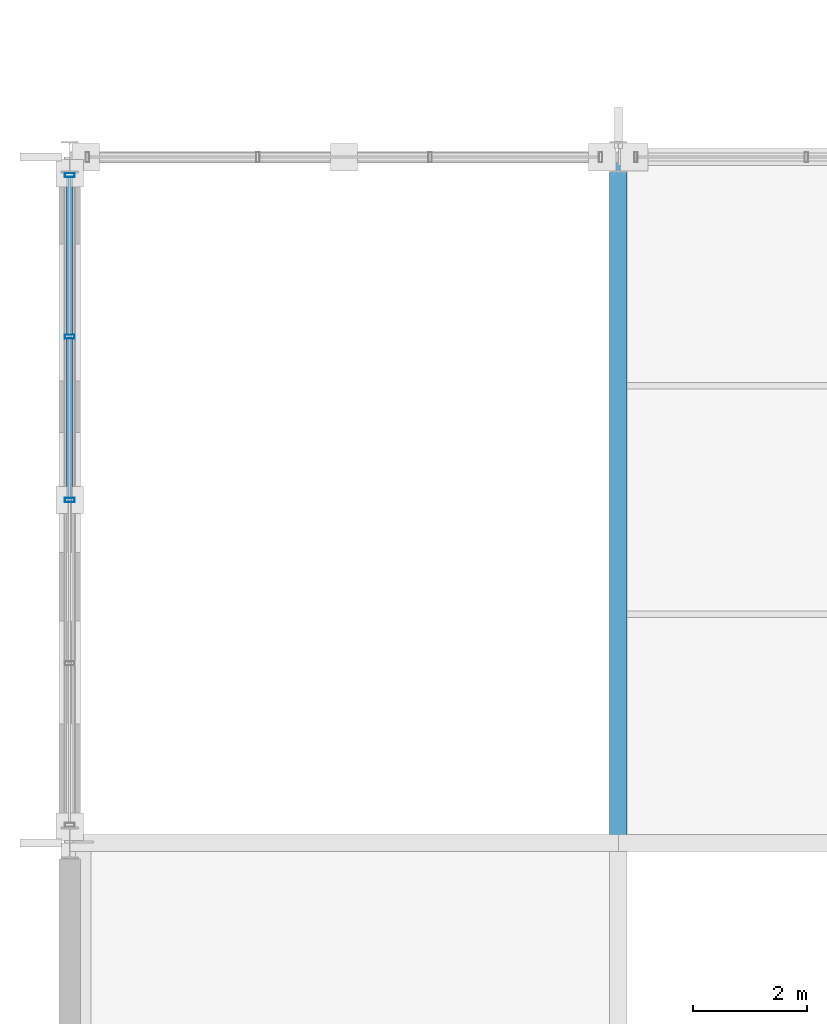
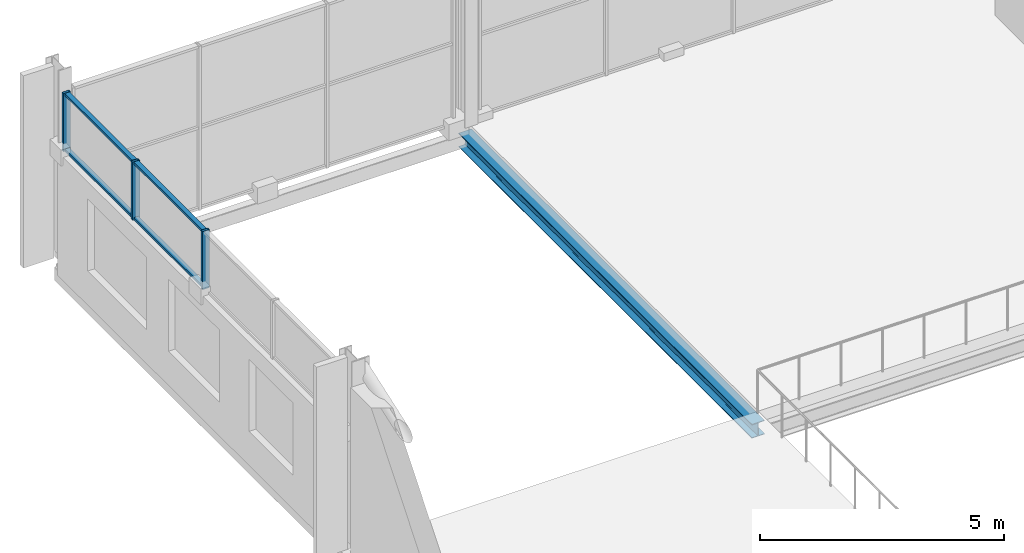
# One storey, part 78 of 159: 7 members, 1 beam, 1 element without a shape of its own.
"""IFC4 building model written with IfcOpenShell, lengths in metres."""

from ifc_helpers import new_model, si_unit, direction, frame, origin, origin_2d, place, context, subcontext, project, spatial, hollow_rectangle, i_section, extrude, material, material_profile, profile_set, type_object, element, aggregate, save


model = new_model("IFC4")

# Units and contexts
model_context = context("Model", 3, precision=1e-05, world=origin(), true_north=direction((0.0, 1.0)))
body_context = subcontext(model_context, "Body", "Model", "MODEL_VIEW")
ifc_project = project(units=[si_unit("LENGTHUNIT", "METRE"), si_unit("AREAUNIT", "SQUARE_METRE"), si_unit("VOLUMEUNIT", "CUBIC_METRE"), si_unit("PLANEANGLEUNIT", "RADIAN"), si_unit("MASSUNIT", "GRAM", prefix="KILO")], contexts=[model_context])

# Site, building, storey
site_placement = place(None, origin())
site = spatial("IfcSite", under=ifc_project, at=site_placement, CompositionType="ELEMENT")
building_placement = place(site_placement, origin())
building = spatial("IfcBuilding", under=site, at=building_placement, Name="Merenkruunu Market Hall", CompositionType="ELEMENT")
storey_placement = place(building_placement, frame((0.0, 0.0, 5.39990234375)))
storey = spatial("IfcBuildingStorey", under=building, at=storey_placement, Name="L01", CompositionType="ELEMENT", Elevation=5.39990234375)

# Curtain wall, members
ifc_material_1 = material(Name="Powder-coated aluminium", Category="aluminium")
curtain_wall_type = type_object("IfcCurtainWallType", Name="Clerestory Curtain Band CL01", PredefinedType="USERDEFINED", material=ifc_material_1)
curtain_wall_placement = place(storey_placement, origin())
curtain_wall = element("IfcCurtainWall", 1, at=curtain_wall_placement, inside=storey, type_object=curtain_wall_type, Name="CW-L01-CWM04-017", ObjectType="CLERESTORY_BAND", PredefinedType="USERDEFINED")
ifc_material_profile_1 = material_profile(ifc_material_1, hollow_rectangle(XDim=0.070068359375, YDim=0.169921875, WallThickness=0.0048828125, at=origin_2d()), Name="ALU 70x170x5")
ifc_profile_set_1 = profile_set([ifc_material_profile_1], Name="Powder-coated aluminium")
member_type_1 = type_object("IfcMemberType", Name="Curtain Wall Mullion CWM04", PredefinedType="MULLION", material=ifc_profile_set_1)
member_1_placement = place(storey_placement, frame((0.0, 105.60009765625, 2.800048828125), z_axis=(0.0, 0.0, 1.0), x_axis=(0.0, 1.0, 0.0)))
member_1 = element("IfcMember", 2, at=member_1_placement, type_object=member_type_1, Name="CL01 mullion 3", PredefinedType="MULLION", context=body_context, shape_type="SweptSolid", body=[
    extrude(hollow_rectangle(XDim=0.070068359375, YDim=0.169921875, WallThickness=0.0048828125, at=origin_2d()), origin(), (0.0, 0.0, 1.0), 1.449951171875),
])
member_2_placement = place(storey_placement, frame((0.0, 108.4599609375, 2.800048828125), z_axis=(0.0, 0.0, 1.0), x_axis=(0.0, 1.0, 0.0)))
member_2 = element("IfcMember", 3, at=member_2_placement, type_object=member_type_1, Name="CL01 mullion 4", PredefinedType="MULLION", context=body_context, shape_type="SweptSolid", body=[
    extrude(hollow_rectangle(XDim=0.070068359375, YDim=0.169921875, WallThickness=0.0048828125, at=origin_2d()), origin(), (0.0, 0.0, 1.0), 1.449951171875),
])
member_3_placement = place(storey_placement, frame((0.0, 111.284912109375, 2.800048828125), z_axis=(0.0, 0.0, 1.0), x_axis=(0.0, 1.0, 0.0)))
member_3 = element("IfcMember", 4, at=member_3_placement, type_object=member_type_1, Name="CL01 mullion 5", PredefinedType="MULLION", context=body_context, shape_type="SweptSolid", body=[
    extrude(hollow_rectangle(XDim=0.070068359375, YDim=0.169921875, WallThickness=0.0048828125, at=origin_2d()), origin(), (0.0, 0.0, 1.0), 1.449951171875),
])
ifc_material_profile_2 = material_profile(ifc_material_1, hollow_rectangle(XDim=0.06005859375, YDim=0.110107421875, WallThickness=0.00390625, at=origin_2d()), Name="ALU 60x110x4")
ifc_profile_set_2 = profile_set([ifc_material_profile_2], Name="Powder-coated aluminium")
member_type_2 = type_object("IfcMemberType", Name="Curtain Wall Transom CWT03", PredefinedType="USERDEFINED", material=ifc_profile_set_2)
member_4_placement = place(storey_placement, frame((0.0, 105.635009765625, 2.830078125), z_axis=(0.0, 1.0, 0.0), x_axis=(0.0, 0.0, 1.0)))
member_4 = element("IfcMember", 5, at=member_4_placement, type_object=member_type_2, Name="CL01 transom 3.1", ObjectType="TRANSOM", PredefinedType="USERDEFINED", context=body_context, shape_type="SweptSolid", body=[
    extrude(hollow_rectangle(XDim=0.06005859375, YDim=0.110107421875, WallThickness=0.00390625, at=origin_2d()), origin(), (0.0, 0.0, 1.0), 2.7900390625),
])
member_5_placement = place(storey_placement, frame((0.0, 105.635009765625, 4.22021484375), z_axis=(0.0, 1.0, 0.0), x_axis=(0.0, 0.0, 1.0)))
member_5 = element("IfcMember", 6, at=member_5_placement, type_object=member_type_2, Name="CL01 transom 3.2", ObjectType="TRANSOM", PredefinedType="USERDEFINED", context=body_context, shape_type="SweptSolid", body=[
    extrude(hollow_rectangle(XDim=0.06005859375, YDim=0.110107421875, WallThickness=0.00390625, at=origin_2d()), origin(), (0.0, 0.0, 1.0), 2.7900390625),
])
member_6_placement = place(storey_placement, frame((0.0, 108.4951171875, 2.830078125), z_axis=(0.0, 1.0, 0.0), x_axis=(0.0, 0.0, 1.0)))
member_6 = element("IfcMember", 7, at=member_6_placement, type_object=member_type_2, Name="CL01 transom 4.1", ObjectType="TRANSOM", PredefinedType="USERDEFINED", context=body_context, shape_type="SweptSolid", body=[
    extrude(hollow_rectangle(XDim=0.06005859375, YDim=0.110107421875, WallThickness=0.00390625, at=origin_2d()), origin(), (0.0, 0.0, 1.0), 2.7548828125),
])
member_7_placement = place(storey_placement, frame((0.0, 108.4951171875, 4.22021484375), z_axis=(0.0, 1.0, 0.0), x_axis=(0.0, 0.0, 1.0)))
member_7 = element("IfcMember", 8, at=member_7_placement, type_object=member_type_2, Name="CL01 transom 4.2", ObjectType="TRANSOM", PredefinedType="USERDEFINED", context=body_context, shape_type="SweptSolid", body=[
    extrude(hollow_rectangle(XDim=0.06005859375, YDim=0.110107421875, WallThickness=0.00390625, at=origin_2d()), origin(), (0.0, 0.0, 1.0), 2.7548828125),
])
aggregate(curtain_wall, [member_1, member_2, member_3, member_4, member_5, member_6, member_7])

# Beam
ifc_material_2 = material(Name="Steel S355J2", Category="steel")
ifc_material_profile_3 = material_profile(ifc_material_2, i_section(OverallWidth=0.300048828125, OverallDepth=0.35009765625, WebThickness=0.010009765625, FlangeThickness=0.017578125, FilletRadius=0.027099609375, at=origin_2d()), Name="HEA 360")
ifc_profile_set_3 = profile_set([ifc_material_profile_3], Name="Steel S355J2")
beam_type = type_object("IfcBeamType", Name="Primary Floor Girder B08", PredefinedType="BEAM", material=ifc_profile_set_3)
beam_placement = place(storey_placement, frame((9.60009765625, 99.60009765625, -0.454833984375), z_axis=(0.0, 1.0, 0.0), x_axis=(-1.0, 0.0, 0.0)))
element("IfcBeam", 9, at=beam_placement, inside=storey, type_object=beam_type, Name="BM-L01-B08-0567", PredefinedType="BEAM", context=body_context, shape_type="SweptSolid", body=[
    extrude(i_section(OverallWidth=0.300048828125, OverallDepth=0.35009765625, WebThickness=0.010009765625, FlangeThickness=0.017578125, FilletRadius=0.027099609375, at=origin_2d()), origin(), (0.0, 0.0, 1.0), 12.0),
])

save(model, "model.ifc")
